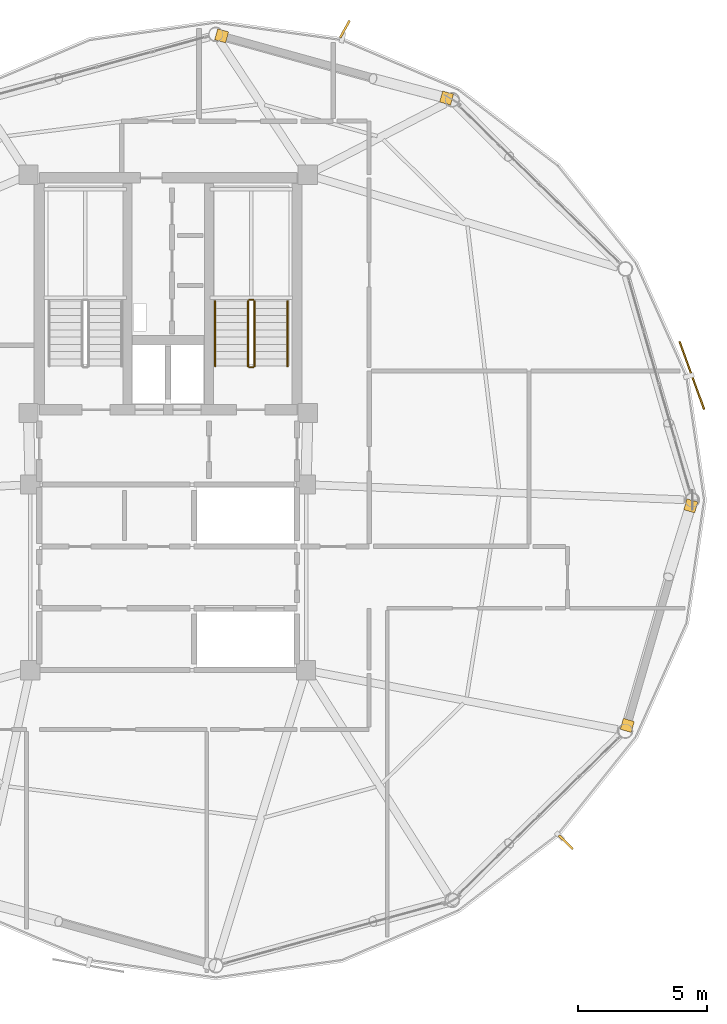
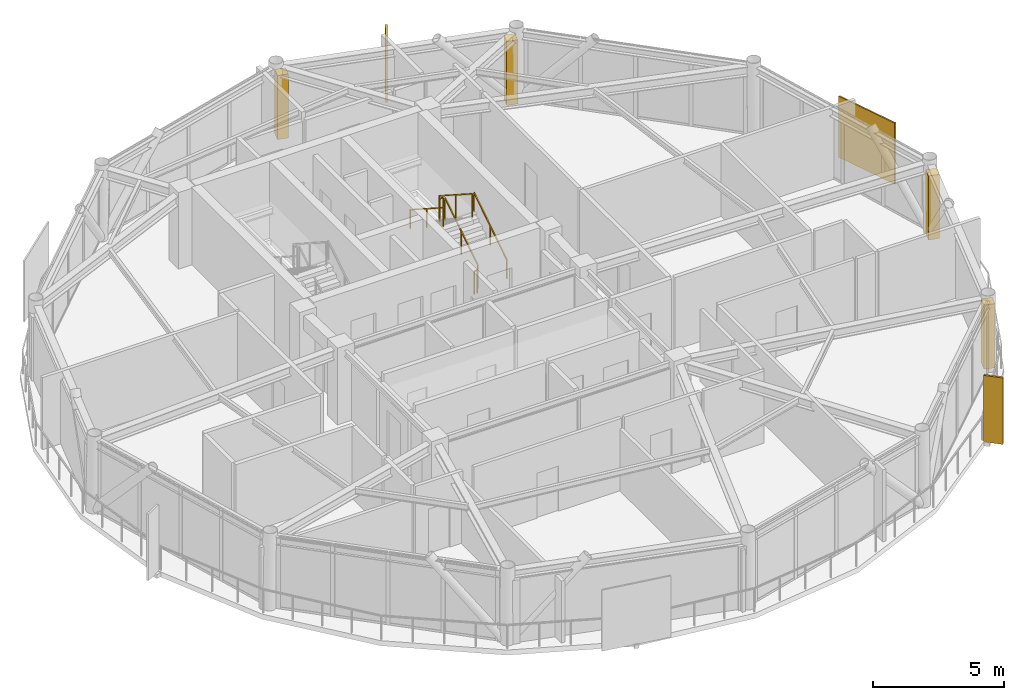
# One storey, part 27 of 27: 6 railings, 4 coverings, 3 shading devices.
"""IFC4 building model written with IfcOpenShell, lengths in metres."""

import ifcopenshell
import ifcopenshell.guid

model = None  # the IFC model being written
_history = None  # IfcOwnerHistory: only IFC2X3 demands one
_inside = {}  # id of a spatial element -> (the spatial element, [elements in it])
_under = {}  # id of a project, library or spatial element -> (it, [spatial elements below it])
_declared = {}  # id of a project -> (the project, [libraries it declares])
_typed = {}  # id of a type object -> (the type object, [elements of that type])
_made_of = {}  # id of a material, layer set ... -> (it, [elements and type objects made of it])


def new_model(schema):
    """Start an empty IFC model of exactly this schema.

    Asked for "IFC4X3", IfcOpenShell would pick the latest addendum, in which some entities
    have other attributes; the version numbers below select the first issue.
    IFC2X3 requires an IfcOwnerHistory on every rooted entity: one is made here for all.
    """
    global model, _history
    if schema == "IFC4X3":
        model = ifcopenshell.file(schema_version=(4, 3, 0, 0))
    else:
        model = ifcopenshell.file(schema=schema)
    _inside.clear()
    _under.clear()
    _declared.clear()
    _typed.clear()
    _made_of.clear()
    _history = None
    if model.schema == "IFC2X3":
        org = make("IfcOrganization", Name="unknown")
        user = make(
            "IfcPersonAndOrganization",
            ThePerson=make("IfcPerson", FamilyName="unknown"),
            TheOrganization=org,
        )
        app = make(
            "IfcApplication",
            ApplicationDeveloper=org,
            Version="unknown",
            ApplicationFullName="unknown",
            ApplicationIdentifier="unknown",
        )
        _history = make(
            "IfcOwnerHistory",
            OwningUser=user,
            OwningApplication=app,
            ChangeAction="ADDED",
            CreationDate=0,
        )
    return model


def make(cls, **values):
    """One entity of the class cls with the attributes given. An attribute that is None is left unset."""
    return model.create_entity(
        cls, **{name: value for name, value in values.items() if value is not None}
    )


def rooted(cls, **values):
    """An entity with a GlobalId (a new one), such as an element, a storey or a relation."""
    return make(cls, GlobalId=ifcopenshell.guid.new(), OwnerHistory=_history, **values)


def si_unit(unit_type, name, prefix=None):
    """IfcSIUnit, for example si_unit("LENGTHUNIT", "METRE", prefix="MILLI")."""
    return make("IfcSIUnit", UnitType=unit_type, Prefix=prefix, Name=name)


def assignment(units):
    """IfcUnitAssignment: the units of a project."""
    return None if units is None else make("IfcUnitAssignment", Units=units)


def point(xyz):
    """IfcCartesianPoint."""
    return None if xyz is None else make("IfcCartesianPoint", Coordinates=xyz)


def direction(xyz):
    """IfcDirection."""
    return None if xyz is None else make("IfcDirection", DirectionRatios=xyz)


def frame(location, z_axis=None, x_axis=None):
    """IfcAxis2Placement3D, a coordinate frame: its origin and axes. An axis left out is left unset."""
    return make(
        "IfcAxis2Placement3D",
        Location=point(location),
        Axis=direction(z_axis),
        RefDirection=direction(x_axis),
    )


def frame_2d(location, x_axis=None):
    """IfcAxis2Placement2D, a coordinate frame in the plane: its origin and x axis."""
    return make(
        "IfcAxis2Placement2D", Location=point(location), RefDirection=direction(x_axis)
    )


def origin():
    """The frame at (0, 0, 0) with its axes left unset."""
    return frame((0.0, 0.0, 0.0))


def origin_2d():
    """The frame at (0, 0) in the plane with its x axis left unset."""
    return frame_2d((0.0, 0.0))


def place(relative_to, where):
    """IfcLocalPlacement: puts the frame where relative to a parent placement (None: the world)."""
    return make(
        "IfcLocalPlacement", PlacementRelTo=relative_to, RelativePlacement=where
    )


def context(
    kind, dimensions, precision=None, world=None, true_north=None, identifier=None
):
    """IfcGeometricRepresentationContext, for example the 3D "Model" context."""
    return make(
        "IfcGeometricRepresentationContext",
        ContextIdentifier=identifier,
        ContextType=kind,
        CoordinateSpaceDimension=dimensions,
        Precision=precision,
        WorldCoordinateSystem=world,
        TrueNorth=true_north,
    )


def subcontext(parent, identifier, kind, view, scale=None):
    """IfcGeometricRepresentationSubContext, for example "Body" below "Model"."""
    return make(
        "IfcGeometricRepresentationSubContext",
        ContextIdentifier=identifier,
        ContextType=kind,
        ParentContext=parent,
        TargetScale=scale,
        TargetView=view,
    )


def project(units=None, contexts=None):
    """IfcProject with its units and contexts."""
    return rooted(
        "IfcProject",
        Name="project",
        RepresentationContexts=contexts,
        UnitsInContext=assignment(units),
    )


def spatial(cls, under=None, at=None, **own):
    """A site, building, storey or space (cls), placed at a placement, below another one or the project."""
    s = rooted(cls, ObjectPlacement=at, **own)
    if under is not None:
        _under.setdefault(under.id(), (under, []))[1].append(s)
    return s


def profile(cls, at=None, kind="AREA", **sizes):
    """A parametric profile (cls). Its sizes go by their IFC names, for example OverallWidth=200.0."""
    return make(cls, ProfileType=kind, Position=at, **sizes)


def rectangle(**sizes):
    """IfcRectangleProfileDef."""
    return profile("IfcRectangleProfileDef", **sizes)


def extrude(swept, where, along, depth):
    """IfcExtrudedAreaSolid: the profile swept, set in the frame where, extruded along a direction by depth."""
    return make(
        "IfcExtrudedAreaSolid",
        SweptArea=swept,
        Position=where,
        ExtrudedDirection=direction(along),
        Depth=depth,
    )


def shape(context_of_items, identifier, shape_type, items):
    """IfcShapeRepresentation: the items that make up one representation, for example the "Body"."""
    return make(
        "IfcShapeRepresentation",
        ContextOfItems=context_of_items,
        RepresentationIdentifier=identifier,
        RepresentationType=shape_type,
        Items=items,
    )


def source(mapping_origin, context_of_items, identifier, shape_type, items):
    """IfcRepresentationMap: a shape defined once, which mapped items show again and again."""
    return make(
        "IfcRepresentationMap",
        MappingOrigin=mapping_origin,
        MappedRepresentation=shape(context_of_items, identifier, shape_type, items),
    )


def transform(
    local_origin,
    x_axis=None,
    y_axis=None,
    z_axis=None,
    scale=None,
    scale2=None,
    scale3=None,
    uniform=True,
):
    """IfcCartesianTransformationOperator3D, or its non-uniform kind. x_axis, y_axis, z_axis: its Axis1, 2, 3."""
    if uniform:
        return make(
            "IfcCartesianTransformationOperator3D",
            Axis1=direction(x_axis),
            Axis2=direction(y_axis),
            LocalOrigin=point(local_origin),
            Scale=scale,
            Axis3=direction(z_axis),
        )
    return make(
        "IfcCartesianTransformationOperator3DnonUniform",
        Axis1=direction(x_axis),
        Axis2=direction(y_axis),
        LocalOrigin=point(local_origin),
        Scale=scale,
        Axis3=direction(z_axis),
        Scale2=scale2,
        Scale3=scale3,
    )


def mapped(mapping_source, mapping_target):
    """IfcMappedItem: shows the shape of a source again, moved by a transform."""
    return make(
        "IfcMappedItem", MappingSource=mapping_source, MappingTarget=mapping_target
    )


def material(Name=None, Category=None):
    """IfcMaterial."""
    return make("IfcMaterial", Name=Name, Category=Category)


def layer(
    of_material, thickness, ventilated=None, Name=None, Category=None, Priority=None
):
    """IfcMaterialLayer: one layer of a wall or slab, of a material (None: an air gap)."""
    return make(
        "IfcMaterialLayer",
        Material=of_material,
        LayerThickness=thickness,
        IsVentilated=ventilated,
        Name=Name,
        Category=Category,
        Priority=Priority,
    )


def layer_set(layers, Name=None):
    """IfcMaterialLayerSet."""
    return make("IfcMaterialLayerSet", MaterialLayers=layers, LayerSetName=Name)


def made_of(thing, what):
    """Note that an element or type object is made of a material, layer set ...; save() writes the relation."""
    if what is not None:
        _made_of.setdefault(what.id(), (what, []))[1].append(thing)
    return thing


def type_object(cls, material=None, **own):
    """A type object (cls), such as IfcWallType, which elements share."""
    return made_of(rooted(cls, **own), material)


def type_shapes(of_type, sources):
    """Give a type object the sources (RepresentationMaps) that its elements show as mapped items."""
    of_type.RepresentationMaps = sources


def element(
    cls,
    number,
    at=None,
    inside=None,
    cuts=None,
    type_object=None,
    material=None,
    context=None,
    identifier="Body",
    shape_type=None,
    held_by="IfcProductDefinitionShape",
    body=None,
    shapes=None,
    **own,
):
    """One element of the class cls, such as IfcWall. Its Tag is "e" and its number.

    at: its placement. inside: the storey or other place that contains it. cuts: it is an
    opening in that element (IfcRelVoidsElement). A single representation is given by context,
    identifier, shape_type and body (its items); several are given by shapes. held_by: the class
    of the entity that holds the representations. save() writes the other relations.
    """
    e = rooted(cls, Tag="e%d" % number, ObjectPlacement=at, **own)
    if body is not None:
        shapes = [shape(context, identifier, shape_type, body)]
    if shapes is not None:
        e.Representation = make(held_by, Representations=shapes)
    if inside is not None:
        _inside.setdefault(inside.id(), (inside, []))[1].append(e)
    if cuts is not None:
        rooted(
            "IfcRelVoidsElement", RelatingBuildingElement=cuts, RelatedOpeningElement=e
        )
    if type_object is not None:
        _typed.setdefault(type_object.id(), (type_object, []))[1].append(e)
    return made_of(e, material)


def aggregate(whole, parts):
    """IfcRelAggregates: a whole, such as a stair, and the parts it consists of."""
    return rooted("IfcRelAggregates", RelatingObject=whole, RelatedObjects=parts)


def save(model, path):
    """Write the relations noted so far, then the file.

    IfcRelAggregates (storeys below a building ...), IfcRelContainedInSpatialStructure (elements
    in a storey), IfcRelDefinesByType, IfcRelAssociatesMaterial and IfcRelDeclares: one each for
    every whole, place, type object, material and project.
    """
    for whole, parts in _under.values():
        aggregate(whole, parts)
    for where, things in _inside.values():
        rooted(
            "IfcRelContainedInSpatialStructure",
            RelatedElements=things,
            RelatingStructure=where,
        )
    for kind, things in _typed.values():
        rooted("IfcRelDefinesByType", RelatedObjects=things, RelatingType=kind)
    for what, things in _made_of.values():
        rooted("IfcRelAssociatesMaterial", RelatedObjects=things, RelatingMaterial=what)
    for by, libraries in _declared.values():
        rooted("IfcRelDeclares", RelatingContext=by, RelatedDefinitions=libraries)
    model.write(path)


model = new_model("IFC4")

# Units and contexts
model_context = context("Model", 3, precision=1e-05, world=origin(), true_north=direction((0.0, 1.0)))
body_context = subcontext(model_context, "Body", "Model", "MODEL_VIEW")
ifc_project = project(units=[si_unit("LENGTHUNIT", "METRE"), si_unit("AREAUNIT", "SQUARE_METRE"), si_unit("VOLUMEUNIT", "CUBIC_METRE"), si_unit("PLANEANGLEUNIT", "RADIAN"), si_unit("MASSUNIT", "GRAM", prefix="KILO")], contexts=[model_context])

# Site, building, storey
site_placement = place(None, origin())
site = spatial("IfcSite", under=ifc_project, at=site_placement, CompositionType="ELEMENT")
building_placement = place(site_placement, origin())
building = spatial("IfcBuilding", under=site, at=building_placement, Name="Varnakorn Sky Granary", CompositionType="ELEMENT")
storey_placement = place(building_placement, frame((0.0, 0.0, 249.0)))
storey = spatial("IfcBuildingStorey", under=building, at=storey_placement, Name="L63", CompositionType="ELEMENT", Elevation=249.0)

# Railings
ifc_material_1 = material(Name="Brushed Stainless Steel 316", Category="steel")
railing_type_1 = type_object("IfcRailingType", Name="RL-STAIR-1100", PredefinedType="GUARDRAIL", material=ifc_material_1)
railing_1_placement = place(storey_placement, frame((6.35009765625, 5.199951171875, 0.179931640625)))
element("IfcRailing", 1, at=railing_1_placement, inside=storey, type_object=railing_type_1, Name="L63 ST-2 stair guard 1", PredefinedType="GUARDRAIL", context=body_context, shape_type="SweptSolid", body=[
    extrude(rectangle(XDim=0.048095703125, YDim=0.048095703125, at=origin_2d()), frame((0.0, 0.0, 1.076171875), z_axis=(0.0, 0.841162588446, 0.540782303519), x_axis=(-1.0, 0.0, 0.0)), (0.0, 0.0, 1.0), 2.995849609375),
    extrude(rectangle(XDim=0.0419921875, YDim=0.0419921875, at=origin_2d()), origin(), (0.0, 0.0, 1.0), 1.048095703125),
    extrude(rectangle(XDim=0.0419921875, YDim=0.0419921875, at=origin_2d()), frame((0.0, 1.260009765625, 0.81005859375)), (0.0, 0.0, 1.0), 1.048095703125),
    extrude(rectangle(XDim=0.0419921875, YDim=0.0419921875, at=origin_2d()), frame((0.0, 2.52001953125, 1.6201171875)), (0.0, 0.0, 1.0), 1.048095703125),
])
railing_2_placement = place(storey_placement, frame((6.300048828125, 7.77001953125, 1.800048828125)))
element("IfcRailing", 2, at=railing_2_placement, inside=storey, type_object=railing_type_1, Name="L63 ST-2 stair guard 2", PredefinedType="GUARDRAIL", context=body_context, shape_type="SweptSolid", body=[
    extrude(rectangle(XDim=0.048095703125, YDim=0.048095703125, at=origin_2d()), frame((0.0, 0.0, 1.076171875), z_axis=(-1.0, 0.0, 0.0), x_axis=(0.0, -1.0, 0.0)), (0.0, 0.0, 1.0), 0.150146484375),
    extrude(rectangle(XDim=0.0419921875, YDim=0.0419921875, at=origin_2d()), origin(), (0.0, 0.0, 1.0), 1.048095703125),
    extrude(rectangle(XDim=0.0419921875, YDim=0.0419921875, at=origin_2d()), frame((-0.150146484375, 0.0, 0.0)), (0.0, 0.0, 1.0), 1.048095703125),
])
railing_3_placement = place(storey_placement, frame((6.10009765625, 7.719970703125, 1.97998046875)))
element("IfcRailing", 3, at=railing_3_placement, inside=storey, type_object=railing_type_1, Name="L63 ST-2 stair guard 3", PredefinedType="GUARDRAIL", context=body_context, shape_type="SweptSolid", body=[
    extrude(rectangle(XDim=0.048095703125, YDim=0.048095703125, at=origin_2d()), frame((0.0, 0.0, 1.076171875), z_axis=(0.0, -0.841162588446, 0.540782303519), x_axis=(1.0, 0.0, 0.0)), (0.0, 0.0, 1.0), 2.995849609375),
    extrude(rectangle(XDim=0.0419921875, YDim=0.0419921875, at=origin_2d()), origin(), (0.0, 0.0, 1.0), 1.048095703125),
    extrude(rectangle(XDim=0.0419921875, YDim=0.0419921875, at=origin_2d()), frame((0.0, -1.260009765625, 0.81005859375)), (0.0, 0.0, 1.0), 1.048095703125),
    extrude(rectangle(XDim=0.0419921875, YDim=0.0419921875, at=origin_2d()), frame((0.0, -2.52001953125, 1.6201171875)), (0.0, 0.0, 1.0), 1.048095703125),
])
railing_4_placement = place(storey_placement, frame((6.300048828125, 5.14990234375, 0.0)))
element("IfcRailing", 4, at=railing_4_placement, inside=storey, type_object=railing_type_1, Name="L63 ST-2 stair guard 4", PredefinedType="GUARDRAIL", context=body_context, shape_type="SweptSolid", body=[
    extrude(rectangle(XDim=0.048095703125, YDim=0.048095703125, at=origin_2d()), frame((0.0, 0.0, 1.076171875), z_axis=(-1.0, 0.0, 0.0), x_axis=(0.0, -1.0, 0.0)), (0.0, 0.0, 1.0), 0.150146484375),
    extrude(rectangle(XDim=0.0419921875, YDim=0.0419921875, at=origin_2d()), origin(), (0.0, 0.0, 1.0), 1.048095703125),
    extrude(rectangle(XDim=0.0419921875, YDim=0.0419921875, at=origin_2d()), frame((-0.150146484375, 0.0, 0.0)), (0.0, 0.0, 1.0), 1.048095703125),
])
railing_type_2 = type_object("IfcRailingType", Name="RL-STAIR-920", PredefinedType="HANDRAIL", material=ifc_material_1)
railing_5_placement = place(storey_placement, frame((7.6298828125, 5.199951171875, 0.179931640625)))
element("IfcRailing", 5, at=railing_5_placement, inside=storey, type_object=railing_type_2, Name="L63 ST-2 stair handrail 1", PredefinedType="HANDRAIL", context=body_context, shape_type="SweptSolid", body=[
    extrude(rectangle(XDim=0.048095703125, YDim=0.048095703125, at=origin_2d()), frame((0.0, 0.0, 0.8759765625), z_axis=(0.0, 0.841162588446, 0.540782303519), x_axis=(-1.0, 0.0, 0.0)), (0.0, 0.0, 1.0), 2.995849609375),
    extrude(rectangle(XDim=0.0419921875, YDim=0.0419921875, at=origin_2d()), origin(), (0.0, 0.0, 1.0), 0.847900390625),
    extrude(rectangle(XDim=0.0419921875, YDim=0.0419921875, at=origin_2d()), frame((0.0, 1.260009765625, 0.81005859375)), (0.0, 0.0, 1.0), 0.847900390625),
    extrude(rectangle(XDim=0.0419921875, YDim=0.0419921875, at=origin_2d()), frame((0.0, 2.52001953125, 1.6201171875)), (0.0, 0.0, 1.0), 0.847900390625),
])
railing_6_placement = place(storey_placement, frame((4.820068359375, 7.719970703125, 1.97998046875)))
element("IfcRailing", 6, at=railing_6_placement, inside=storey, type_object=railing_type_2, Name="L63 ST-2 stair handrail 2", PredefinedType="HANDRAIL", context=body_context, shape_type="SweptSolid", body=[
    extrude(rectangle(XDim=0.048095703125, YDim=0.048095703125, at=origin_2d()), frame((0.0, 0.0, 0.8759765625), z_axis=(0.0, -0.841162588446, 0.540782303519), x_axis=(1.0, 0.0, 0.0)), (0.0, 0.0, 1.0), 2.995849609375),
    extrude(rectangle(XDim=0.0419921875, YDim=0.0419921875, at=origin_2d()), origin(), (0.0, 0.0, 1.0), 0.847900390625),
    extrude(rectangle(XDim=0.0419921875, YDim=0.0419921875, at=origin_2d()), frame((0.0, -1.260009765625, 0.81005859375)), (0.0, 0.0, 1.0), 0.847900390625),
    extrude(rectangle(XDim=0.0419921875, YDim=0.0419921875, at=origin_2d()), frame((0.0, -2.52001953125, 1.6201171875)), (0.0, 0.0, 1.0), 0.847900390625),
])

# Coverings
ifc_material_2 = material(Name="Anodised Bronze Aluminium Alloy 6063-T6", Category="aluminium")
ifc_layer = layer(ifc_material_2, 0.050048828125, Name="Anodised Bronze Aluminium Alloy 6063-T6")
ifc_layer_set = layer_set([ifc_layer], Name="Anodised Bronze Aluminium Alloy 6063-T6")
covering_type = type_object("IfcCoveringType", Name="CV-CLAD-50", PredefinedType="CLADDING", material=ifc_layer_set)
shared_shape_1 = source(origin(), body_context, "Body", "SweptSolid", [
    extrude(rectangle(XDim=0.43994140625, YDim=0.43994140625, at=origin_2d()), origin(), (0.0, 0.0, 1.0), 2.989990234375),
])
type_shapes(covering_type, [shared_shape_1])
for number, where, z_axis, x_axis, name in (
    (7, (5.075927734375, 18.010498046875, -0.02001953125), (0.0, 0.0, 1.0), (0.963816785945, -0.266565570041, 0.0), "Bronze Corner Pilaster Closure L63-P03-A"),
    (8, (13.803955078125, 15.597412109375, -0.02001953125), (0.0, 0.0, 1.0), (0.963816785945, -0.266565570041, 0.0), "Bronze Corner Pilaster Closure L63-P03-B"),
    (9, (23.27978515625, -0.225341796875, -0.02001953125), (0.0, 0.0, 1.0), (-0.277985336053, -0.960585317887, 0.0), "Bronze Corner Pilaster Closure L63-P12-A"),
    (10, (20.8154296875, -8.74365234375, -0.02001953125), (0.0, 0.0, 1.0), (-0.277985336053, -0.960585317887, 0.0), "Bronze Corner Pilaster Closure L63-P12-B"),
):
    element("IfcCovering", number, at=place(storey_placement, frame(where, z_axis=z_axis, x_axis=x_axis)), inside=storey, type_object=covering_type, Name=name, PredefinedType="CLADDING", context=body_context, shape_type="MappedRepresentation", body=[
        mapped(shared_shape_1, transform((0.0, 0.0, 0.0), x_axis=(1.0, 0.0, 0.0), y_axis=(0.0, 1.0, 0.0), z_axis=(0.0, 0.0, 1.0), scale=1.0)),
    ])

# Shading devices
shading_device_type_1 = type_object("IfcShadingDeviceType", Name="SH-FIN-03", PredefinedType="USERDEFINED", material=ifc_material_2)
shared_shape_2 = source(origin(), body_context, "Body", "SweptSolid", [
    extrude(rectangle(XDim=0.0849609375, YDim=0.760009765625, at=origin_2d()), origin(), (0.0, 0.0, 1.0), 3.10009765625),
])
type_shapes(shading_device_type_1, [shared_shape_2])
for number, where, z_axis, x_axis, name in (
    (11, (9.858154296875, 18.272705078125, -0.0400390625), (0.0, 0.0, 1.0), (-0.873847382906, 0.486200320227, 0.0), "Bronze Solar-Tracking Vertical Blade FIN L63-03"),
    (12, (18.43359375, -13.27783203125, -0.0400390625), (0.0, 0.0, 1.0), (0.694450993531, 0.719540004158, 0.0), "Bronze Solar-Tracking Vertical Blade FIN L63-11"),
):
    element("IfcShadingDevice", number, at=place(storey_placement, frame(where, z_axis=z_axis, x_axis=x_axis)), inside=storey, type_object=shading_device_type_1, Name=name, ObjectType="FIN", PredefinedType="USERDEFINED", context=body_context, shape_type="MappedRepresentation", body=[
        mapped(shared_shape_2, transform((0.0, 0.0, 0.0), x_axis=(1.0, 0.0, 0.0), y_axis=(0.0, 1.0, 0.0), z_axis=(0.0, 0.0, 1.0), scale=1.0)),
    ])
shading_device_type_2 = type_object("IfcShadingDeviceType", Name="SH-SCR-03", PredefinedType="USERDEFINED", material=ifc_material_2)
shared_shape_3 = source(origin(), body_context, "Body", "SweptSolid", [
    extrude(rectangle(XDim=2.800048828125, YDim=0.06494140625, at=origin_2d()), origin(), (0.0, 0.0, 1.0), 2.85009765625),
])
type_shapes(shading_device_type_2, [shared_shape_3])
shading_device_placement = place(storey_placement, frame((23.31884765625, 4.838134765625, -0.0400390625), z_axis=(0.0, 0.0, 1.0), x_axis=(-0.340861930216, 0.940113367913, 0.0)))
element("IfcShadingDevice", 13, at=shading_device_placement, inside=storey, type_object=shading_device_type_2, Name="Perforated Bronze Solar Screen Panel SCREEN L63-01", ObjectType="SCREEN", PredefinedType="USERDEFINED", context=body_context, shape_type="MappedRepresentation", body=[
    mapped(shared_shape_3, transform((0.0, 0.0, 0.0), x_axis=(1.0, 0.0, 0.0), y_axis=(0.0, 1.0, 0.0), z_axis=(0.0, 0.0, 1.0), scale=1.0)),
])

save(model, "model.ifc")
